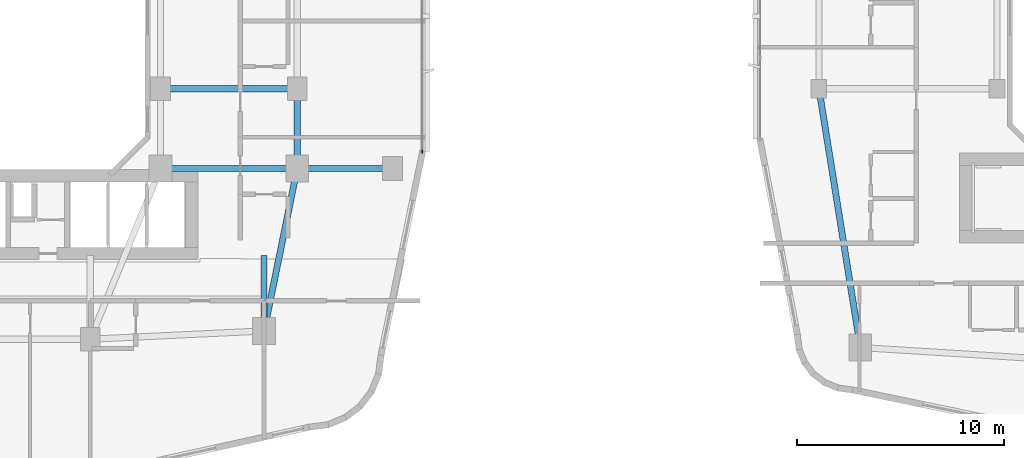
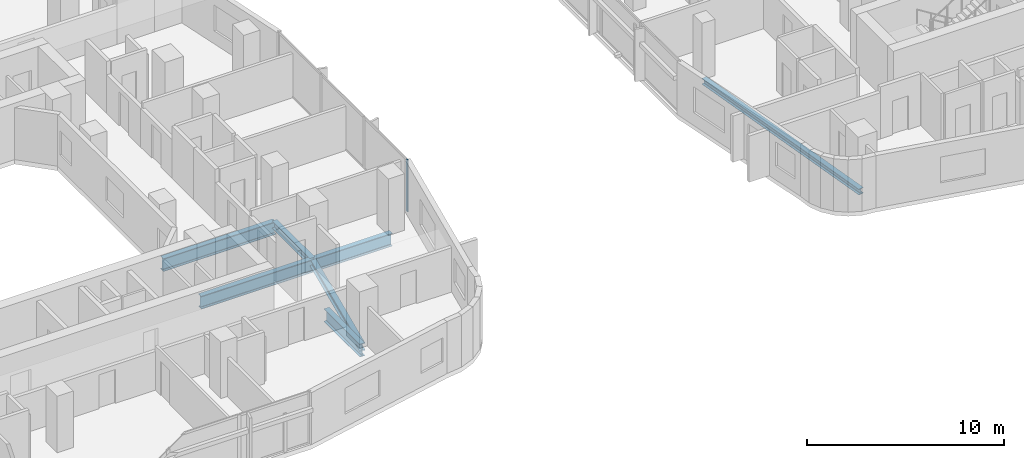
# One storey, part 4 of 27: 7 beams, 1 member, 1 element without a shape of its own.
"""IFC4 building model written with IfcOpenShell, lengths in metres."""

from ifc_helpers import new_model, si_unit, derived_unit, direction, frame, origin, origin_2d, place, context, subcontext, project, spatial, rectangle, i_section, extrude, material, layer, layer_set, material_profile, profile_set, type_object, element, aggregate, save


model = new_model("IFC4")

# Units and contexts
model_context = context("Model", 3, precision=1e-05, world=origin(), true_north=direction((0.0, 1.0)))
body_context = subcontext(model_context, "Body", "Model", "MODEL_VIEW")
ifc_project = project(units=[si_unit("LENGTHUNIT", "METRE"), si_unit("AREAUNIT", "SQUARE_METRE"), si_unit("VOLUMEUNIT", "CUBIC_METRE"), si_unit("PLANEANGLEUNIT", "RADIAN"), si_unit("MASSUNIT", "GRAM", prefix="KILO"), derived_unit("THERMALTRANSMITTANCEUNIT", [(si_unit("POWERUNIT", "WATT"), 1), (si_unit("LENGTHUNIT", "METRE"), -2), (si_unit("THERMODYNAMICTEMPERATUREUNIT", "KELVIN"), -1)])], contexts=[model_context])

# Site, building, storey
site_placement = place(None, origin())
site = spatial("IfcSite", under=ifc_project, at=site_placement, CompositionType="ELEMENT")
building_placement = place(site_placement, origin())
building = spatial("IfcBuilding", under=site, at=building_placement, Name="Kivonza Crest Hotel", CompositionType="ELEMENT")
storey_placement = place(building_placement, frame((0.0, 0.0, 38.0)))
storey = spatial("IfcBuildingStorey", under=building, at=storey_placement, Name="L09", CompositionType="ELEMENT", Elevation=38.0)

# Beams
ifc_material_1 = material(Name="Steel S355", Category="steel")
ifc_material_profile_1 = material_profile(ifc_material_1, i_section(OverallWidth=0.300048828125, OverallDepth=0.360107421875, WebThickness=0.012451171875, FlangeThickness=0.0224609375, FilletRadius=0.027099609375, at=origin_2d()), Name="HEB 360")
ifc_profile_set_1 = profile_set([ifc_material_profile_1], Name="Steel S355")
beam_type_1 = type_object("IfcBeamType", Name="BM-HEB360", PredefinedType="SPANDREL", material=ifc_profile_set_1)
beam_1_placement = place(storey_placement, frame((61.0, 21.5, -0.429931640625), z_axis=(0.157990501107, -0.987440631917, 0.0), x_axis=(0.987440631917, 0.157990501107, 0.0)))
element("IfcBeam", 1, at=beam_1_placement, inside=storey, type_object=beam_type_1, Name="Companion Tower T2 L09 perimeter spandrel W1-SW", PredefinedType="SPANDREL", context=body_context, shape_type="SweptSolid", body=[
    extrude(i_section(OverallWidth=0.300048828125, OverallDepth=0.360107421875, WebThickness=0.012451171875, FlangeThickness=0.0224609375, FilletRadius=0.027099609375, at=origin_2d()), origin(), (0.0, 0.0, 1.0), 12.658935546875),
])
ifc_material_profile_2 = material_profile(ifc_material_1, i_section(OverallWidth=0.300048828125, OverallDepth=0.449951171875, WebThickness=0.013916015625, FlangeThickness=0.02587890625, FilletRadius=0.027099609375, at=origin_2d()), Name="HEB 450")
ifc_profile_set_2 = profile_set([ifc_material_profile_2], Name="Steel S355")
beam_type_2 = type_object("IfcBeamType", Name="BM-HEB450", PredefinedType="SPANDREL", material=ifc_profile_set_2)
beam_2_placement = place(storey_placement, frame((34.199951171875, 9.800048828125, -0.5048828125), z_axis=(0.199730733965, 0.979850822273, 0.0), x_axis=(-0.979850822273, 0.199730733965, 0.0)))
element("IfcBeam", 2, at=beam_2_placement, inside=storey, type_object=beam_type_2, Name="Tower T1 L09 perimeter spandrel SE-PSE", PredefinedType="SPANDREL", context=body_context, shape_type="SweptSolid", body=[
    extrude(i_section(OverallWidth=0.300048828125, OverallDepth=0.449951171875, WebThickness=0.013916015625, FlangeThickness=0.02587890625, FilletRadius=0.027099609375, at=origin_2d()), origin(), (0.0, 0.0, 1.0), 8.01123046875),
])
beam_3_placement = place(storey_placement, frame((35.800048828125, 17.64990234375, -0.5048828125), z_axis=(0.0, 1.0, 0.0), x_axis=(-1.0, 0.0, 0.0)))
element("IfcBeam", 3, at=beam_3_placement, inside=storey, type_object=beam_type_2, Name="Tower T1 L09 perimeter spandrel PSE-E1", PredefinedType="SPANDREL", context=body_context, shape_type="SweptSolid", body=[
    extrude(i_section(OverallWidth=0.300048828125, OverallDepth=0.449951171875, WebThickness=0.013916015625, FlangeThickness=0.02587890625, FilletRadius=0.027099609375, at=origin_2d()), origin(), (0.0, 0.0, 1.0), 3.85009765625),
])
ifc_material_profile_3 = material_profile(ifc_material_1, i_section(OverallWidth=0.300048828125, OverallDepth=0.800048828125, WebThickness=0.017578125, FlangeThickness=0.032958984375, FilletRadius=0.030029296875, at=origin_2d()), Name="HEB 800")
ifc_profile_set_3 = profile_set([ifc_material_profile_3], Name="Steel S355")
beam_type_3 = type_object("IfcBeamType", Name="BM-HEB800", PredefinedType="BEAM", material=ifc_profile_set_3)
for number, where, z_axis, x_axis, name in (
    (4, (29.199951171875, 17.64990234375, -0.679931640625), (1.0, 0.0, 0.0), (0.0, 1.0, 0.0), "Tower T1 L09 primary girder TSE-PSE"),
    (5, (29.199951171875, 21.5, -0.679931640625), (1.0, 0.0, 0.0), (0.0, 1.0, 0.0), "Tower T1 L09 primary girder WR1-E1"),
):
    element("IfcBeam", number, at=place(storey_placement, frame(where, z_axis=z_axis, x_axis=x_axis)), inside=storey, type_object=beam_type_3, Name=name, PredefinedType="BEAM", context=body_context, shape_type="SweptSolid", body=[
        extrude(i_section(OverallWidth=0.300048828125, OverallDepth=0.800048828125, WebThickness=0.017578125, FlangeThickness=0.032958984375, FilletRadius=0.030029296875, at=origin_2d()), origin(), (0.0, 0.0, 1.0), 6.60009765625),
    ])
beam_4_placement = place(storey_placement, frame((40.39990234375, 17.64990234375, -0.679931640625), z_axis=(-1.0, 0.0, 0.0), x_axis=(0.0, -1.0, 0.0)))
element("IfcBeam", 6, at=beam_4_placement, inside=storey, type_object=beam_type_3, Name="Tower T1 L09 outer bay girder ZE1", PredefinedType="BEAM", context=body_context, shape_type="SweptSolid", body=[
    extrude(i_section(OverallWidth=0.300048828125, OverallDepth=0.800048828125, WebThickness=0.017578125, FlangeThickness=0.032958984375, FilletRadius=0.030029296875, at=origin_2d()), origin(), (0.0, 0.0, 1.0), 4.599853515625),
])
beam_5_placement = place(storey_placement, frame((34.199951171875, 9.800048828125, -0.679931640625), z_axis=(0.0, 1.0, 0.0), x_axis=(-1.0, 0.0, 0.0)))
element("IfcBeam", 7, at=beam_5_placement, inside=storey, type_object=beam_type_3, Name="Tower T1 L09 radial core girder RSE", PredefinedType="BEAM", context=body_context, shape_type="SweptSolid", body=[
    extrude(i_section(OverallWidth=0.300048828125, OverallDepth=0.800048828125, WebThickness=0.017578125, FlangeThickness=0.032958984375, FilletRadius=0.030029296875, at=origin_2d()), origin(), (0.0, 0.0, 1.0), 3.64990234375),
])

# Curtain wall, member
ifc_material_2 = material(Name="Anodised bronze aluminium and low-E double glazing", Category="aluminium")
ifc_layer = layer(ifc_material_2, 0.179931640625)
ifc_layer_set = layer_set([ifc_layer], Name="Anodised bronze aluminium and low-E double glazing")
curtain_wall_type = type_object("IfcCurtainWallType", Name="CW-SYS-2", PredefinedType="NOTDEFINED", material=ifc_layer_set)
curtain_wall_placement = place(storey_placement, origin())
curtain_wall = element("IfcCurtainWall", 8, at=curtain_wall_placement, inside=storey, type_object=curtain_wall_type, Name="L09 unitised curtain wall CW-T1-L09-17", PredefinedType="NOTDEFINED")
ifc_material_3 = material(Name="Anodised bronze aluminium", Category="aluminium")
ifc_material_profile_4 = material_profile(ifc_material_3, rectangle(XDim=0.06494140625, YDim=0.179931640625, at=origin_2d()), Name="CW-M 65x180")
ifc_profile_set_4 = profile_set([ifc_material_profile_4], Name="Anodised bronze aluminium")
member_type = type_object("IfcMemberType", Name="CW-MUL-65x180", PredefinedType="MULLION", material=ifc_profile_set_4)
member_placement = place(storey_placement, frame((41.840087890625, 18.472412109375, 0.0), z_axis=(0.0, 0.0, 1.0), x_axis=(-1.0, 0.0, 0.0)))
member = element("IfcMember", 9, at=member_placement, type_object=member_type, Name="CW-2 mullion 1", PredefinedType="MULLION", context=body_context, shape_type="SweptSolid", body=[
    extrude(rectangle(XDim=0.06494140625, YDim=0.179931640625, at=origin_2d()), origin(), (0.0, 0.0, 1.0), 3.219970703125),
])
aggregate(curtain_wall, [member])

save(model, "model.ifc")
